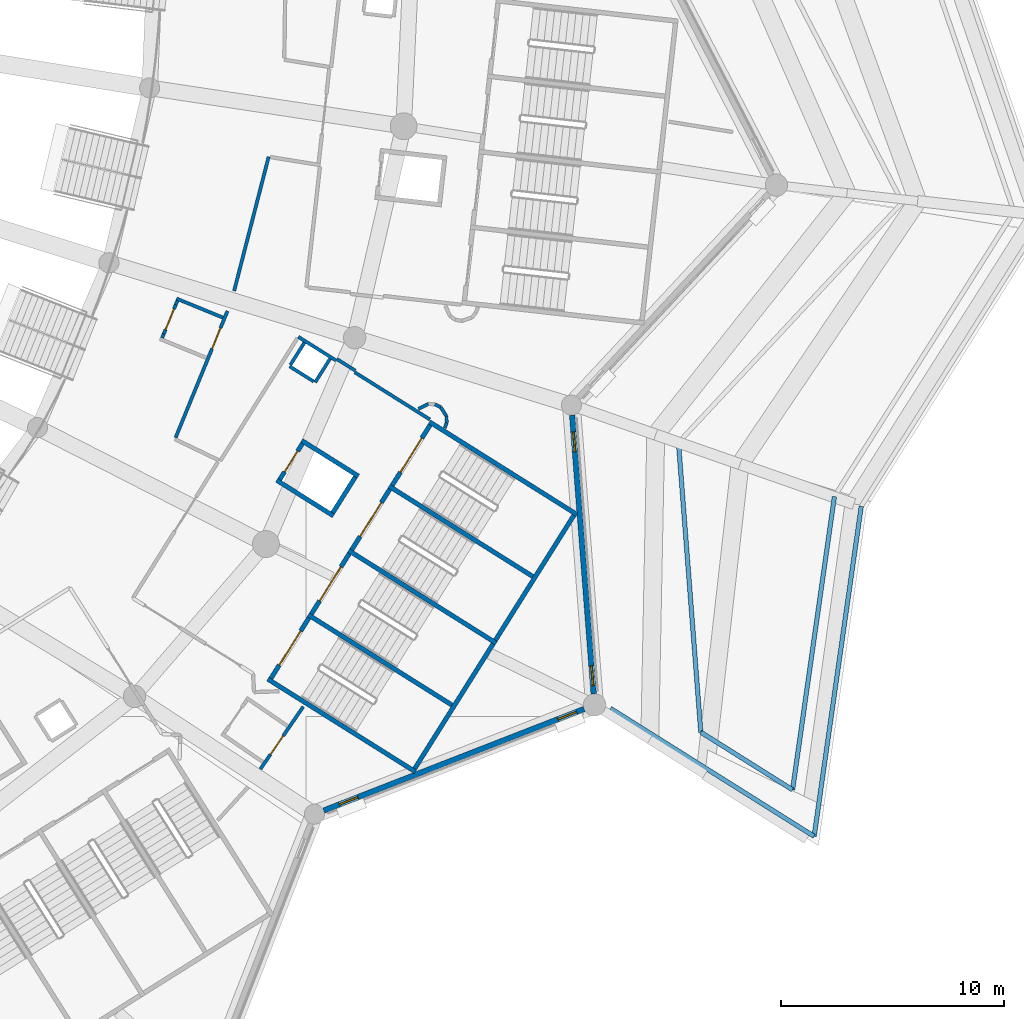
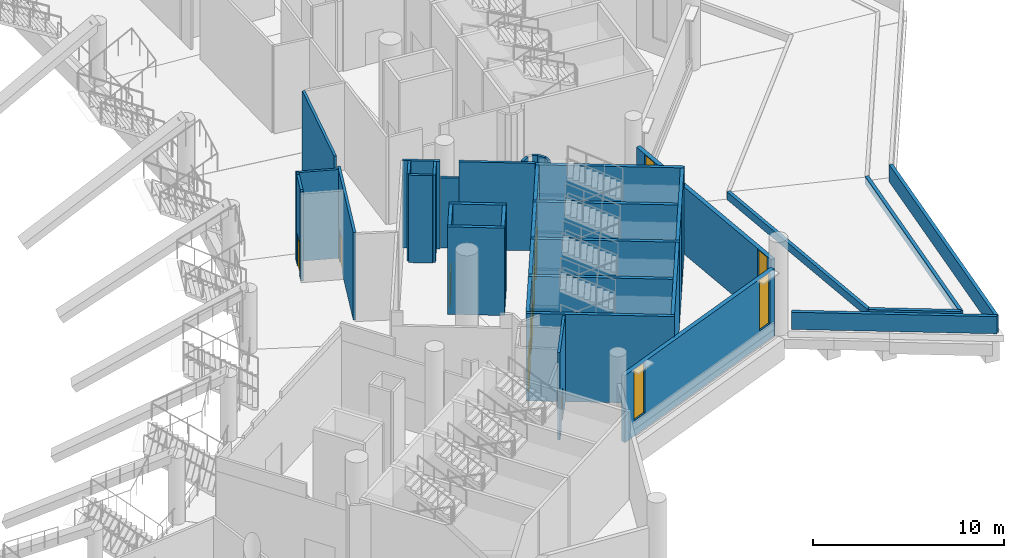
# One storey, part 55 of 173: 40 walls, 8 doors, 4 windows, 12 openings.
"""IFC4 building model written with IfcOpenShell, lengths in metres."""

from ifc_helpers import new_model, si_unit, direction, frame, frame_2d, origin, place, context, subcontext, project, spatial, rectangle, extrude, material, layer, layer_set, type_object, element, fill, save


model = new_model("IFC4")

# Units and contexts
model_context = context("Model", 3, precision=1e-05, world=origin(), true_north=direction((0.0, 1.0)))
body_context = subcontext(model_context, "Body", "Model", "MODEL_VIEW")
ifc_project = project(units=[si_unit("LENGTHUNIT", "METRE"), si_unit("AREAUNIT", "SQUARE_METRE"), si_unit("VOLUMEUNIT", "CUBIC_METRE"), si_unit("PLANEANGLEUNIT", "RADIAN"), si_unit("MASSUNIT", "GRAM", prefix="KILO")], contexts=[model_context])

# Site, building, storey
site_placement = place(None, origin())
site = spatial("IfcSite", under=ifc_project, at=site_placement, CompositionType="ELEMENT")
building_placement = place(site_placement, origin())
building = spatial("IfcBuilding", under=site, at=building_placement, Name="Meseta Stadium", CompositionType="ELEMENT")
storey_placement = place(building_placement, frame((0.0, 0.0, 18.0)))
storey = spatial("IfcBuildingStorey", under=building, at=storey_placement, Name="L03", CompositionType="ELEMENT", Elevation=18.0)

# Walls
ifc_material_1 = material(Name="Concrete C40/50", Category="concrete")
ifc_layer_1 = layer(ifc_material_1, 0.199951171875)
ifc_layer_set_1 = layer_set([ifc_layer_1], Name="Core divider wall 200")
wall_type_1 = type_object("IfcWallType", Name="Core divider wall 200", PredefinedType="SHEAR", material=ifc_layer_set_1)
wall_1_placement = place(storey_placement, frame((86.696533203125, -79.5869140625, 0.0), z_axis=(0.0, 0.0, 1.0), x_axis=(-0.846713903605, 0.532048461553, 0.0)))
element("IfcWall", 1, at=wall_1_placement, inside=storey, type_object=wall_type_1, Name="Core 28 L03 stair A divider wall", PredefinedType="SHEAR", context=body_context, shape_type="SweptSolid", body=[
    extrude(rectangle(XDim=7.7998046875, YDim=0.199951171875, at=frame_2d((3.89990234375, 0.0))), origin(), (0.0, 0.0, 1.0), 5.60009765625),
])
wall_2_placement = place(storey_placement, frame((90.314453125, -73.8291015625, 0.0), z_axis=(0.0, 0.0, 1.0), x_axis=(-0.846722763703, 0.532034361135, 0.0)))
element("IfcWall", 2, at=wall_2_placement, inside=storey, type_object=wall_type_1, Name="Core 28 L03 stair B divider wall", PredefinedType="SHEAR", context=body_context, shape_type="SweptSolid", body=[
    extrude(rectangle(XDim=7.800048828125, YDim=0.199951171875, at=frame_2d((3.89990234375, 0.0))), origin(), (0.0, 0.0, 1.0), 5.60009765625),
])
ifc_material_2 = material(Name="Concrete C40/50", Category="concrete")
ifc_layer_2 = layer(ifc_material_2, 0.199951171875)
ifc_layer_set_2 = layer_set([ifc_layer_2], Name="Core shaft wall 200")
wall_type_2 = type_object("IfcWallType", Name="Core shaft wall 200", PredefinedType="SHEAR", material=ifc_layer_set_2)
for number, where, z_axis, x_axis, name in (
    (3, (84.8876953125, -82.4658203125, 0.0), (0.0, 0.0, 1.0), (-0.846722763703, 0.532034361135, 0.0), "Core 28 L03 stair wall A-side"),
    (4, (88.505615234375, -76.7080078125, 0.0), (0.0, 0.0, 1.0), (-0.846722763703, 0.532034361135, 0.0), "Core 28 L03 stair wall shared"),
    (5, (92.123291015625, -70.9501953125, 0.0), (0.0, 0.0, 1.0), (-0.846722763703, 0.532034361135, 0.0), "Core 28 L03 stair wall B-side"),
):
    element("IfcWall", number, at=place(storey_placement, frame(where, z_axis=z_axis, x_axis=x_axis)), inside=storey, type_object=wall_type_2, Name=name, PredefinedType="SHEAR", context=body_context, shape_type="SweptSolid", body=[
        extrude(rectangle(XDim=7.800048828125, YDim=0.199951171875, at=frame_2d((3.89990234375, 0.0))), origin(), (0.0, 0.0, 1.0), 5.60009765625),
    ])
for number, where, z_axis, x_axis, name in (
    (6, (84.856201171875, -82.327880859375, 0.0), (0.0, 0.0, 1.0), (0.532038964807, 0.846719870989, 0.0), "Core 28 L03 stair A outer end wall"),
    (7, (88.47412109375, -76.570068359375, 0.0), (0.0, 0.0, 1.0), (0.532038964807, 0.846719870989, 0.0), "Core 28 L03 stair B outer end wall"),
):
    element("IfcWall", number, at=place(storey_placement, frame(where, z_axis=z_axis, x_axis=x_axis)), inside=storey, type_object=wall_type_2, Name=name, PredefinedType="SHEAR", context=body_context, shape_type="SweptSolid", body=[
        extrude(rectangle(XDim=6.60009765625, YDim=0.199951171875, at=frame_2d((3.300048828125, 0.0))), origin(), (0.0, 0.0, 1.0), 5.60009765625),
    ])

# Wall, opening, door
wall_3_placement = place(storey_placement, frame((78.421142578125, -78.284423828125, 0.0), z_axis=(0.0, 0.0, 1.0), x_axis=(0.53206841829, 0.84670136309, 0.0)))
wall_3 = element("IfcWall", 8, at=wall_3_placement, inside=storey, type_object=wall_type_2, Name="Core 28 L03 stair A1 inner end wall", PredefinedType="SHEAR", context=body_context, shape_type="SweptSolid", body=[
    extrude(rectangle(XDim=3.199951171875, YDim=0.199951171875, at=frame_2d((1.60009765625, 0.0))), origin(), (0.0, 0.0, 1.0), 5.60009765625),
])
opening_1_placement = place(wall_3_placement, frame((0.699951171875, 0.0, 0.0)))
opening_1 = element("IfcOpeningElement", 9, at=opening_1_placement, cuts=wall_3, Name="Opening D1454", PredefinedType="OPENING", context=body_context, shape_type="SweptSolid", body=[
    extrude(rectangle(XDim=1.800048828125, YDim=2.10009765625, at=frame_2d((0.89990234375, 1.050048828125))), frame((0.0, 0.10986328125, 0.0), z_axis=(0.0, -1.0, 0.0), x_axis=(1.0, 0.0, 0.0)), (0.0, 0.0, 1.0), 0.219970703125),
])
ifc_material_3 = material(Name="Steel", Category="steel")
door_type_1 = type_object("IfcDoorType", Name="Stair door 1800x2100", OperationType="DOUBLE_DOOR_SINGLE_SWING", PredefinedType="DOOR", material=ifc_material_3)
door_1_placement = place(opening_1_placement, origin())
door_1 = element("IfcDoor", 10, at=door_1_placement, inside=storey, type_object=door_type_1, Name="Stair A1 door 28 L03", OperationType="DOUBLE_DOOR_SINGLE_SWING", OverallHeight=2.10009765625, OverallWidth=1.800048828125, PredefinedType="DOOR", context=body_context, shape_type="SweptSolid", body=[
    extrude(rectangle(XDim=1.800048828125, YDim=2.10009765625, at=frame_2d((0.89990234375, 1.050048828125))), frame((0.0, 0.02490234375, 0.0), z_axis=(0.0, -1.0, 0.0), x_axis=(1.0, 0.0, 0.0)), (0.0, 0.0, 1.0), 0.050048828125),
])
fill(opening_1, door_1)

wall_4_placement = place(storey_placement, frame((80.22998046875, -75.405517578125, 0.0), z_axis=(0.0, 0.0, 1.0), x_axis=(0.53206841829, 0.84670136309, 0.0)))
wall_4 = element("IfcWall", 11, at=wall_4_placement, inside=storey, type_object=wall_type_2, Name="Core 28 L03 stair A2 inner end wall", PredefinedType="SHEAR", context=body_context, shape_type="SweptSolid", body=[
    extrude(rectangle(XDim=3.199951171875, YDim=0.199951171875, at=frame_2d((1.60009765625, 0.0))), origin(), (0.0, 0.0, 1.0), 5.60009765625),
])
opening_2_placement = place(wall_4_placement, frame((0.699951171875, 0.0, 0.0)))
opening_2 = element("IfcOpeningElement", 12, at=opening_2_placement, cuts=wall_4, Name="Opening D1457", PredefinedType="OPENING", context=body_context, shape_type="SweptSolid", body=[
    extrude(rectangle(XDim=1.800048828125, YDim=2.10009765625, at=frame_2d((0.89990234375, 1.050048828125))), frame((0.0, 0.10986328125, 0.0), z_axis=(0.0, -1.0, 0.0), x_axis=(1.0, 0.0, 0.0)), (0.0, 0.0, 1.0), 0.219970703125),
])
door_2_placement = place(opening_2_placement, origin())
door_2 = element("IfcDoor", 13, at=door_2_placement, inside=storey, type_object=door_type_1, Name="Stair A2 door 28 L03", OperationType="DOUBLE_DOOR_SINGLE_SWING", OverallHeight=2.10009765625, OverallWidth=1.800048828125, PredefinedType="DOOR", context=body_context, shape_type="SweptSolid", body=[
    extrude(rectangle(XDim=1.800048828125, YDim=2.10009765625, at=frame_2d((0.89990234375, 1.050048828125))), frame((0.0, 0.02490234375, 0.0), z_axis=(0.0, -1.0, 0.0), x_axis=(1.0, 0.0, 0.0)), (0.0, 0.0, 1.0), 0.050048828125),
])
fill(opening_2, door_2)

wall_5_placement = place(storey_placement, frame((82.0390625, -72.526611328125, 0.0), z_axis=(0.0, 0.0, 1.0), x_axis=(0.532013720158, 0.846735733015, 0.0)))
wall_5 = element("IfcWall", 14, at=wall_5_placement, inside=storey, type_object=wall_type_2, Name="Core 28 L03 stair B1 inner end wall", PredefinedType="SHEAR", context=body_context, shape_type="SweptSolid", body=[
    extrude(rectangle(XDim=3.199951171875, YDim=0.199951171875, at=frame_2d((1.60009765625, 0.0))), origin(), (0.0, 0.0, 1.0), 5.60009765625),
])
opening_3_placement = place(wall_5_placement, frame((0.699951171875, 0.0, 0.0)))
opening_3 = element("IfcOpeningElement", 15, at=opening_3_placement, cuts=wall_5, Name="Opening D1463", PredefinedType="OPENING", context=body_context, shape_type="SweptSolid", body=[
    extrude(rectangle(XDim=1.800048828125, YDim=2.10009765625, at=frame_2d((0.89990234375, 1.050048828125))), frame((0.0, 0.10986328125, 0.0), z_axis=(0.0, -1.0, 0.0), x_axis=(1.0, 0.0, 0.0)), (0.0, 0.0, 1.0), 0.219970703125),
])
door_3_placement = place(opening_3_placement, origin())
door_3 = element("IfcDoor", 16, at=door_3_placement, inside=storey, type_object=door_type_1, Name="Stair B1 door 28 L03", OperationType="DOUBLE_DOOR_SINGLE_SWING", OverallHeight=2.10009765625, OverallWidth=1.800048828125, PredefinedType="DOOR", context=body_context, shape_type="SweptSolid", body=[
    extrude(rectangle(XDim=1.800048828125, YDim=2.10009765625, at=frame_2d((0.89990234375, 1.050048828125))), frame((0.0, 0.02490234375, 0.0), z_axis=(0.0, -1.0, 0.0), x_axis=(1.0, 0.0, 0.0)), (0.0, 0.0, 1.0), 0.050048828125),
])
fill(opening_3, door_3)

wall_6_placement = place(storey_placement, frame((83.847900390625, -69.647705078125, 0.0), z_axis=(0.0, 0.0, 1.0), x_axis=(0.532013720158, 0.846735733015, 0.0)))
wall_6 = element("IfcWall", 17, at=wall_6_placement, inside=storey, type_object=wall_type_2, Name="Core 28 L03 stair B2 inner end wall", PredefinedType="SHEAR", context=body_context, shape_type="SweptSolid", body=[
    extrude(rectangle(XDim=3.199951171875, YDim=0.199951171875, at=frame_2d((1.60009765625, 0.0))), origin(), (0.0, 0.0, 1.0), 5.60009765625),
])
opening_4_placement = place(wall_6_placement, frame((0.699951171875, 0.0, 0.0)))
opening_4 = element("IfcOpeningElement", 18, at=opening_4_placement, cuts=wall_6, Name="Opening D1465", PredefinedType="OPENING", context=body_context, shape_type="SweptSolid", body=[
    extrude(rectangle(XDim=1.800048828125, YDim=2.10009765625, at=frame_2d((0.89990234375, 1.050048828125))), frame((0.0, 0.10986328125, 0.0), z_axis=(0.0, -1.0, 0.0), x_axis=(1.0, 0.0, 0.0)), (0.0, 0.0, 1.0), 0.219970703125),
])
door_4_placement = place(opening_4_placement, origin())
door_4 = element("IfcDoor", 19, at=door_4_placement, inside=storey, type_object=door_type_1, Name="Stair B2 door 28 L03", OperationType="DOUBLE_DOOR_SINGLE_SWING", OverallHeight=2.10009765625, OverallWidth=1.800048828125, PredefinedType="DOOR", context=body_context, shape_type="SweptSolid", body=[
    extrude(rectangle(XDim=1.800048828125, YDim=2.10009765625, at=frame_2d((0.89990234375, 1.050048828125))), frame((0.0, 0.02490234375, 0.0), z_axis=(0.0, -1.0, 0.0), x_axis=(1.0, 0.0, 0.0)), (0.0, 0.0, 1.0), 0.050048828125),
])
fill(opening_4, door_4)

# Walls
for number, where, z_axis, x_axis, name in (
    (20, (81.22119140625, -71.0087890625, 0.0), (0.0, 0.0, 1.0), (-0.846757002027, 0.531979867588, 0.0), "Core 28 L03 lift shaft wall left"),
    (21, (82.33837890625, -69.230712890625, 0.0), (0.0, 0.0, 1.0), (-0.846757002027, 0.531979867588, 0.0), "Core 28 L03 lift shaft wall right"),
):
    element("IfcWall", number, at=place(storey_placement, frame(where, z_axis=z_axis, x_axis=x_axis)), inside=storey, type_object=wall_type_2, Name=name, PredefinedType="SHEAR", context=body_context, shape_type="SweptSolid", body=[
        extrude(rectangle(XDim=3.0, YDim=0.199951171875, at=frame_2d((1.5, 0.0))), origin(), (0.0, 0.0, 1.0), 5.60009765625),
    ])
wall_7_placement = place(storey_placement, frame((81.189697265625, -70.87109375, 0.0), z_axis=(0.0, 0.0, 1.0), x_axis=(0.531961007765, 0.846768850524, 0.0)))
element("IfcWall", 22, at=wall_7_placement, inside=storey, type_object=wall_type_2, Name="Core 28 L03 lift shaft back wall", PredefinedType="SHEAR", context=body_context, shape_type="SweptSolid", body=[
    extrude(rectangle(XDim=1.900146484375, YDim=0.199951171875, at=frame_2d((0.9501953125, 0.0))), origin(), (0.0, 0.0, 1.0), 5.60009765625),
])

# Wall, opening, door
wall_8_placement = place(storey_placement, frame((78.81884765625, -69.38134765625, 0.0), z_axis=(0.0, 0.0, 1.0), x_axis=(0.532018892235, 0.846732483318, 0.0)))
wall_8 = element("IfcWall", 23, at=wall_8_placement, inside=storey, type_object=wall_type_2, Name="Core 28 L03 lift shaft front wall", PredefinedType="SHEAR", context=body_context, shape_type="SweptSolid", body=[
    extrude(rectangle(XDim=1.89990234375, YDim=0.199951171875, at=frame_2d((0.949951171875, 0.0))), origin(), (0.0, 0.0, 1.0), 5.60009765625),
])
opening_5_placement = place(wall_8_placement, frame((0.39990234375, 0.0, 0.0)))
opening_5 = element("IfcOpeningElement", 24, at=opening_5_placement, cuts=wall_8, Name="Opening LD155", PredefinedType="OPENING", context=body_context, shape_type="SweptSolid", body=[
    extrude(rectangle(XDim=1.10009765625, YDim=2.10009765625, at=frame_2d((0.550048828125, 1.050048828125))), frame((0.0, 0.10986328125, 0.0), z_axis=(0.0, -1.0, 0.0), x_axis=(1.0, 0.0, 0.0)), (0.0, 0.0, 1.0), 0.219970703125),
])
ifc_material_4 = material(Name="Steel", Category="steel")
door_type_2 = type_object("IfcDoorType", Name="Lift landing door 1100x2100", OperationType="SLIDING_TO_LEFT", PredefinedType="DOOR", material=ifc_material_4)
door_5_placement = place(opening_5_placement, origin())
door_5 = element("IfcDoor", 25, at=door_5_placement, inside=storey, type_object=door_type_2, Name="Lift landing door LD155", OperationType="SLIDING_TO_LEFT", OverallHeight=2.10009765625, OverallWidth=1.10009765625, PredefinedType="DOOR", context=body_context, shape_type="SweptSolid", body=[
    extrude(rectangle(XDim=1.10009765625, YDim=2.10009765625, at=frame_2d((0.550048828125, 1.050048828125))), frame((0.0, 0.02490234375, 0.0), z_axis=(0.0, -1.0, 0.0), x_axis=(1.0, 0.0, 0.0)), (0.0, 0.0, 1.0), 0.050048828125),
])
fill(opening_5, door_5)

ifc_material_5 = material(Name="Masonry blockwork", Category="masonry")
ifc_layer_3 = layer(ifc_material_5, 0.14990234375)
ifc_layer_set_3 = layer_set([ifc_layer_3], Name="Partition 150")
wall_type_3 = type_object("IfcWallType", Name="Partition 150", PredefinedType="PARTITIONING", material=ifc_layer_set_3)
wall_9_placement = place(storey_placement, frame((77.948974609375, -82.345703125, 0.0), z_axis=(0.0, 0.0, 1.0), x_axis=(0.565957595718, 0.824434351449, 0.0)))
wall_9 = element("IfcWall", 26, at=wall_9_placement, inside=storey, type_object=wall_type_3, Name="Partition L03 L03-cell26-1-0", PredefinedType="PARTITIONING", context=body_context, shape_type="SweptSolid", body=[
    extrude(rectangle(XDim=3.392822265625, YDim=0.14990234375, at=frame_2d((1.6962890625, 0.0))), origin(), (0.0, 0.0, 1.0), 5.60009765625),
])
opening_6_placement = place(wall_9_placement, frame((0.800048828125, 0.0, 0.0)))
opening_6 = element("IfcOpeningElement", 27, at=opening_6_placement, cuts=wall_9, Name="Opening D1450", PredefinedType="OPENING", context=body_context, shape_type="SweptSolid", body=[
    extrude(rectangle(XDim=1.0, YDim=2.10009765625, at=frame_2d((0.5, 1.050048828125))), frame((0.0, 0.0849609375, 0.0), z_axis=(0.0, -1.0, 0.0), x_axis=(1.0, 0.0, 0.0)), (0.0, 0.0, 1.0), 0.169921875),
])
ifc_material_6 = material(Name="Steel", Category="steel")
door_type_3 = type_object("IfcDoorType", Name="Fire door 1000x2100 EI2 60", OperationType="NOTDEFINED", PredefinedType="DOOR", material=ifc_material_6)
door_6_placement = place(opening_6_placement, origin())
door_6 = element("IfcDoor", 28, at=door_6_placement, inside=storey, type_object=door_type_3, Name="Room door L03 L03-cell26-1-0", OperationType="SINGLE_SWING_LEFT", OverallHeight=2.10009765625, OverallWidth=1.0, PredefinedType="DOOR", context=body_context, shape_type="SweptSolid", body=[
    extrude(rectangle(XDim=1.0, YDim=2.10009765625, at=frame_2d((0.5, 1.050048828125))), frame((0.0, 0.02490234375, 0.0), z_axis=(0.0, -1.0, 0.0), x_axis=(1.0, 0.0, 0.0)), (0.0, 0.0, 1.0), 0.050048828125),
])
fill(opening_6, door_6)

# Walls
wall_10_placement = place(storey_placement, frame((85.5380859375, -66.694580078125, 0.0), z_axis=(0.0, 0.0, 1.0), x_axis=(-0.84671635408, 0.532044561793, 0.0)))
element("IfcWall", 29, at=wall_10_placement, inside=storey, type_object=wall_type_3, Name="Partition L03 L03-cell27-1-0", PredefinedType="PARTITIONING", context=body_context, shape_type="SweptSolid", body=[
    extrude(rectangle(XDim=3.97705078125, YDim=0.14990234375, at=frame_2d((1.988525390625, 0.0))), origin(), (0.0, 0.0, 1.0), 5.60009765625),
])
wall_11_placement = place(storey_placement, frame((81.328857421875, -64.049560546875, 0.0), z_axis=(0.0, 0.0, 1.0), x_axis=(-0.84670607735, 0.532060916229, 0.0)))
element("IfcWall", 30, at=wall_11_placement, inside=storey, type_object=wall_type_3, Name="Partition L03 L03-cell27-1-0", PredefinedType="PARTITIONING", context=body_context, shape_type="SweptSolid", body=[
    extrude(rectangle(XDim=1.98876953125, YDim=0.14990234375, at=frame_2d((0.994384765625, 0.0))), origin(), (0.0, 0.0, 1.0), 5.60009765625),
])

# Wall, opening, door
wall_12_placement = place(storey_placement, frame((74.15380859375, -67.506103515625, 0.0), z_axis=(0.0, 0.0, 1.0), x_axis=(0.379103117109, 0.92535443296, 0.0)))
wall_12 = element("IfcWall", 31, at=wall_12_placement, inside=storey, type_object=wall_type_3, Name="Partition L03 L03-cell27-1-0", PredefinedType="PARTITIONING", context=body_context, shape_type="SweptSolid", body=[
    extrude(rectangle(XDim=6.12451171875, YDim=0.14990234375, at=frame_2d((3.062255859375, 0.0))), origin(), (0.0, 0.0, 1.0), 5.60009765625),
])
opening_7_placement = place(wall_12_placement, frame((4.300048828125, 0.0, 0.0)))
opening_7 = element("IfcOpeningElement", 32, at=opening_7_placement, cuts=wall_12, Name="Opening D1442", PredefinedType="OPENING", context=body_context, shape_type="SweptSolid", body=[
    extrude(rectangle(XDim=1.0, YDim=2.10009765625, at=frame_2d((0.5, 1.050048828125))), frame((0.0, 0.0849609375, 0.0), z_axis=(0.0, -1.0, 0.0), x_axis=(1.0, 0.0, 0.0)), (0.0, 0.0, 1.0), 0.169921875),
])
door_7_placement = place(opening_7_placement, origin())
door_7 = element("IfcDoor", 33, at=door_7_placement, inside=storey, type_object=door_type_3, Name="Room door L03 L03-cell27-1-0", OperationType="SINGLE_SWING_RIGHT", OverallHeight=2.10009765625, OverallWidth=1.0, PredefinedType="DOOR", context=body_context, shape_type="SweptSolid", body=[
    extrude(rectangle(XDim=1.0, YDim=2.10009765625, at=frame_2d((0.5, 1.050048828125))), frame((0.0, 0.02490234375, 0.0), z_axis=(0.0, -1.0, 0.0), x_axis=(1.0, 0.0, 0.0)), (0.0, 0.0, 1.0), 0.050048828125),
])
fill(opening_7, door_7)

# Walls
wall_13_placement = place(storey_placement, frame((76.775146484375, -60.935791015625, 0.0), z_axis=(0.0, 0.0, 1.0), x_axis=(0.249120216744, 0.968472569363, 0.0)))
element("IfcWall", 34, at=wall_13_placement, inside=storey, type_object=wall_type_3, Name="Partition L03 L03-cell27-1-0", PredefinedType="PARTITIONING", context=body_context, shape_type="SweptSolid", body=[
    extrude(rectangle(XDim=6.197509765625, YDim=0.14990234375, at=frame_2d((3.0986328125, 0.0))), origin(), (0.0, 0.0, 1.0), 5.60009765625),
])
wall_14_placement = place(storey_placement, frame((80.400634765625, -65.03125, 0.0), z_axis=(0.0, 0.0, 1.0), x_axis=(0.532035438589, 0.846722086688, 0.0)))
element("IfcWall", 35, at=wall_14_placement, inside=storey, type_object=wall_type_3, Name="Pressurisation shaft wall L03 core 28", PredefinedType="PARTITIONING", context=body_context, shape_type="SweptSolid", body=[
    extrude(rectangle(XDim=1.2490234375, YDim=0.14990234375, at=frame_2d((0.62451171875, 0.0))), origin(), (0.0, 0.0, 1.0), 5.60009765625),
])
wall_15_placement = place(storey_placement, frame((79.922119140625, -63.25537109375, 0.0), z_axis=(0.0, 0.0, 1.0), x_axis=(-0.531941549268, -0.846781074518, 0.0)))
element("IfcWall", 36, at=wall_15_placement, inside=storey, type_object=wall_type_3, Name="Pressurisation shaft wall L03 core 28", PredefinedType="PARTITIONING", context=body_context, shape_type="SweptSolid", body=[
    extrude(rectangle(XDim=1.174072265625, YDim=0.14990234375, at=frame_2d((0.5869140625, 0.0))), origin(), (0.0, 0.0, 1.0), 5.60009765625),
])
wall_16_placement = place(storey_placement, frame((79.257568359375, -64.31298828125, 0.0), z_axis=(0.0, 0.0, 1.0), x_axis=(0.846769635862, -0.531959757672, 0.0)))
element("IfcWall", 37, at=wall_16_placement, inside=storey, type_object=wall_type_3, Name="Pressurisation shaft wall L03 core 28", PredefinedType="PARTITIONING", context=body_context, shape_type="SweptSolid", body=[
    extrude(rectangle(XDim=1.27490234375, YDim=0.14990234375, at=frame_2d((0.637451171875, 0.0))), origin(), (0.0, 0.0, 1.0), 5.60009765625),
])
wall_17_placement = place(storey_placement, frame((86.205078125, -67.080078125, 0.0), z_axis=(0.0, 0.0, 1.0), x_axis=(0.322191523859, 0.946674506868, 0.0)))
element("IfcWall", 38, at=wall_17_placement, inside=storey, type_object=wall_type_3, Name="Stair vestibule wall L03 core 28", PredefinedType="PARTITIONING", context=body_context, shape_type="SweptSolid", body=[
    extrude(rectangle(XDim=0.257568359375, YDim=0.14990234375, at=frame_2d((0.12890625, 0.0))), origin(), (0.0, 0.0, 1.0), 5.60009765625),
])
wall_18_placement = place(storey_placement, frame((86.2880859375, -66.836181640625, 0.0), z_axis=(0.0, 0.0, 1.0), x_axis=(-0.027108677756, 0.999632492264, 0.0)))
element("IfcWall", 39, at=wall_18_placement, inside=storey, type_object=wall_type_3, Name="Stair vestibule wall L03 core 28", PredefinedType="PARTITIONING", context=body_context, shape_type="SweptSolid", body=[
    extrude(rectangle(XDim=0.2880859375, YDim=0.14990234375, at=frame_2d((0.14404296875, 0.0))), origin(), (0.0, 0.0, 1.0), 5.60009765625),
])
wall_19_placement = place(storey_placement, frame((86.2802734375, -66.548095703125, 0.0), z_axis=(0.0, 0.0, 1.0), x_axis=(-0.538489767729, 0.842632049029, 0.0)))
element("IfcWall", 40, at=wall_19_placement, inside=storey, type_object=wall_type_3, Name="Stair vestibule wall L03 core 28", PredefinedType="PARTITIONING", context=body_context, shape_type="SweptSolid", body=[
    extrude(rectangle(XDim=0.479248046875, YDim=0.14990234375, at=frame_2d((0.23974609375, 0.0))), origin(), (0.0, 0.0, 1.0), 5.60009765625),
])
wall_20_placement = place(storey_placement, frame((86.022216796875, -66.144287109375, 0.0), z_axis=(0.0, 0.0, 1.0), x_axis=(-0.894427191, 0.4472135955, 0.0)))
element("IfcWall", 41, at=wall_20_placement, inside=storey, type_object=wall_type_3, Name="Stair vestibule wall L03 core 28", PredefinedType="PARTITIONING", context=body_context, shape_type="SweptSolid", body=[
    extrude(rectangle(XDim=0.289306640625, YDim=0.14990234375, at=frame_2d((0.14453125, 0.0))), origin(), (0.0, 0.0, 1.0), 5.60009765625),
])
wall_21_placement = place(storey_placement, frame((85.474609375, -65.99462890625, 0.0), z_axis=(0.0, 0.0, 1.0), x_axis=(-0.890886791294, -0.45422541221, 0.0)))
element("IfcWall", 42, at=wall_21_placement, inside=storey, type_object=wall_type_3, Name="Stair vestibule wall L03 core 28", PredefinedType="PARTITIONING", context=body_context, shape_type="SweptSolid", body=[
    extrude(rectangle(XDim=0.50048828125, YDim=0.14990234375, at=frame_2d((0.250244140625, 0.0))), origin(), (0.0, 0.0, 1.0), 5.60009765625),
])
wall_22_placement = place(storey_placement, frame((82.2021484375, -64.509765625, 0.0), z_axis=(0.0, 0.0, 1.0), x_axis=(-0.846630098311, 0.532181807876, 0.0)))
element("IfcWall", 43, at=wall_22_placement, inside=storey, type_object=wall_type_3, Name="Stair vestibule wall L03 core 28", PredefinedType="PARTITIONING", context=body_context, shape_type="SweptSolid", body=[
    extrude(rectangle(XDim=0.974365234375, YDim=0.14990234375, at=frame_2d((0.4873046875, 0.0))), origin(), (0.0, 0.0, 1.0), 4.5),
])
wall_23_placement = place(storey_placement, frame((76.273681640625, -62.1337890625, 0.0), z_axis=(0.0, 0.0, 1.0), x_axis=(-0.925346328849, 0.379122897866, 0.0)))
element("IfcWall", 44, at=wall_23_placement, inside=storey, type_object=wall_type_3, Name="Partition L03 L03-cell27-1-0 vestibule", PredefinedType="PARTITIONING", context=body_context, shape_type="SweptSolid", body=[
    extrude(rectangle(XDim=2.25, YDim=0.14990234375, at=frame_2d((1.125, 0.0))), origin(), (0.0, 0.0, 1.0), 5.68505859375),
])
wall_24_placement = place(storey_placement, frame((73.55029296875, -63.044189453125, 0.0), z_axis=(0.0, 0.0, 1.0), x_axis=(0.378537750025, 0.925585853287, 0.0)))
element("IfcWall", 45, at=wall_24_placement, inside=storey, type_object=wall_type_3, Name="Partition L03 L03-cell27-1-0 vestibule", PredefinedType="PARTITIONING", context=body_context, shape_type="SweptSolid", body=[
    extrude(rectangle(XDim=0.199951171875, YDim=0.14990234375, at=frame_2d((0.10009765625, 0.0))), origin(), (0.0, 0.0, 1.0), 5.71630859375),
])

# Wall, opening, door
wall_25_placement = place(storey_placement, frame((73.6259765625, -62.859130859375, 0.0), z_axis=(0.0, 0.0, 1.0), x_axis=(0.379135295196, 0.925341249452, 0.0)))
wall_25 = element("IfcWall", 46, at=wall_25_placement, inside=storey, type_object=wall_type_3, Name="Partition L03 L03-cell27-1-0 vestibule", PredefinedType="PARTITIONING", context=body_context, shape_type="SweptSolid", body=[
    extrude(rectangle(XDim=1.39990234375, YDim=0.14990234375, at=frame_2d((0.699951171875, 0.0))), origin(), (0.0, 0.0, 1.0), 5.718017578125),
])
opening_8_placement = place(wall_25_placement, frame((0.199951171875, 0.0, 0.0)))
opening_8 = element("IfcOpeningElement", 47, at=opening_8_placement, cuts=wall_25, Name="Opening D1438", PredefinedType="OPENING", context=body_context, shape_type="SweptSolid", body=[
    extrude(rectangle(XDim=1.0, YDim=2.10009765625, at=frame_2d((0.5, 1.050048828125))), frame((0.0, 0.0849609375, 0.0), z_axis=(0.0, -1.0, 0.0), x_axis=(1.0, 0.0, 0.0)), (0.0, 0.0, 1.0), 0.169921875),
])
door_8_placement = place(opening_8_placement, origin())
door_8 = element("IfcDoor", 48, at=door_8_placement, inside=storey, type_object=door_type_3, Name="Vestibule door L03 L03-cell27-1-0", OperationType="SINGLE_SWING_RIGHT", OverallHeight=2.10009765625, OverallWidth=1.0, PredefinedType="DOOR", context=body_context, shape_type="SweptSolid", body=[
    extrude(rectangle(XDim=1.0, YDim=2.10009765625, at=frame_2d((0.5, 1.050048828125))), frame((0.0, 0.02490234375, 0.0), z_axis=(0.0, -1.0, 0.0), x_axis=(1.0, 0.0, 0.0)), (0.0, 0.0, 1.0), 0.050048828125),
])
fill(opening_8, door_8)

# Walls
wall_26_placement = place(storey_placement, frame((74.15673828125, -61.563720703125, 0.0), z_axis=(0.0, 0.0, 1.0), x_axis=(0.379583143074, 0.925157628458, 0.0)))
element("IfcWall", 49, at=wall_26_placement, inside=storey, type_object=wall_type_3, Name="Partition L03 L03-cell27-1-0 vestibule", PredefinedType="PARTITIONING", context=body_context, shape_type="SweptSolid", body=[
    extrude(rectangle(XDim=0.199951171875, YDim=0.14990234375, at=frame_2d((0.10009765625, 0.0))), origin(), (0.0, 0.0, 1.0), 5.7294921875),
])
ifc_material_7 = material(Name="Precast concrete C40/50", Category="concrete")
ifc_layer_4 = layer(ifc_material_7, 0.199951171875)
ifc_layer_set_4 = layer_set([ifc_layer_4], Name="Planter kerb 200")
wall_type_4 = type_object("IfcWallType", Name="Planter kerb 200", PredefinedType="USERDEFINED", material=ifc_layer_set_4)
wall_27_placement = place(storey_placement, frame((103.6474609375, -70.146484375, 0.0), z_axis=(0.0, 0.0, 1.0), x_axis=(-0.141310516353, -0.989965321599, 0.0)))
element("IfcWall", 50, at=wall_27_placement, inside=storey, type_object=wall_type_4, Name="Planter kerb 8.1.6", ObjectType="PLANTER", PredefinedType="USERDEFINED", context=body_context, shape_type="SweptSolid", body=[
    extrude(rectangle(XDim=13.260009765625, YDim=0.199951171875, at=frame_2d((6.6298828125, 0.0))), origin(), (0.0, 0.0, 1.0), 0.5),
])
wall_28_placement = place(storey_placement, frame((101.773681640625, -83.2734375, 0.0), z_axis=(0.0, 0.0, 1.0), x_axis=(-0.846729183501, 0.532024144008, 0.0)))
element("IfcWall", 51, at=wall_28_placement, inside=storey, type_object=wall_type_4, Name="Planter kerb 8.1.7", ObjectType="PLANTER", PredefinedType="USERDEFINED", context=body_context, shape_type="SweptSolid", body=[
    extrude(rectangle(XDim=4.850830078125, YDim=0.199951171875, at=frame_2d((2.42529296875, 0.0))), origin(), (0.0, 0.0, 1.0), 0.5),
])
wall_29_placement = place(storey_placement, frame((97.666259765625, -80.692626953125, 0.0), z_axis=(0.0, 0.0, 1.0), x_axis=(-0.076927669723, 0.997036676171, 0.0)))
element("IfcWall", 52, at=wall_29_placement, inside=storey, type_object=wall_type_4, Name="Planter kerb 8.1.8", ObjectType="PLANTER", PredefinedType="USERDEFINED", context=body_context, shape_type="SweptSolid", body=[
    extrude(rectangle(XDim=13.00244140625, YDim=0.199951171875, at=frame_2d((6.501220703125, 0.0))), origin(), (0.0, 0.0, 1.0), 0.5),
])

# Wall, openings, windows
ifc_material_8 = material(Name="White precast concrete C40/50", Category="concrete")
ifc_layer_5 = layer(ifc_material_8, 0.25)
ifc_layer_set_5 = layer_set([ifc_layer_5], Name="Pleated panel wall 250")
wall_type_5 = type_object("IfcWallType", Name="Pleated panel wall 250", PredefinedType="SOLIDWALL", material=ifc_layer_set_5)
wall_30_placement = place(storey_placement, frame((92.443115234375, -79.656005859375, 0.0), z_axis=(0.0, 0.0, 1.0), x_axis=(-0.931674762927, -0.363293457312, 0.0)))
wall_30 = element("IfcWall", 53, at=wall_30_placement, inside=storey, type_object=wall_type_5, Name="Pleated facade panel L03 F53", PredefinedType="SOLIDWALL", context=body_context, shape_type="SweptSolid", body=[
    extrude(rectangle(XDim=12.513671875, YDim=0.25, at=frame_2d((6.2568359375, 0.0))), origin(), (0.0, 0.0, 1.0), 4.300048828125),
])
opening_9_placement = place(wall_30_placement, frame((10.86328125, 0.0, 1.0)))
opening_9 = element("IfcOpeningElement", 54, at=opening_9_placement, cuts=wall_30, Name="Opening W143", PredefinedType="OPENING", context=body_context, shape_type="SweptSolid", body=[
    extrude(rectangle(XDim=0.89990234375, YDim=3.25, at=frame_2d((0.449951171875, 1.625))), frame((0.0, 0.135009765625, 0.0), z_axis=(0.0, -1.0, 0.0), x_axis=(1.0, 0.0, 0.0)), (0.0, 0.0, 1.0), 0.27001953125),
])
opening_10_placement = place(wall_30_placement, frame((0.36328125, 0.0, 1.0)))
opening_10 = element("IfcOpeningElement", 55, at=opening_10_placement, cuts=wall_30, Name="Opening W146", PredefinedType="OPENING", context=body_context, shape_type="SweptSolid", body=[
    extrude(rectangle(XDim=0.89990234375, YDim=3.25, at=frame_2d((0.449951171875, 1.625))), frame((0.0, 0.135009765625, 0.0), z_axis=(0.0, -1.0, 0.0), x_axis=(1.0, 0.0, 0.0)), (0.0, 0.0, 1.0), 0.27001953125),
])
ifc_material_9 = material(Name="Aluminium", Category="aluminium")
window_type = type_object("IfcWindowType", Name="Slot window 900x3250", PartitioningType="SINGLE_PANEL", PredefinedType="WINDOW", material=ifc_material_9)
window_1_placement = place(opening_9_placement, origin())
window_1 = element("IfcWindow", 56, at=window_1_placement, inside=storey, type_object=window_type, Name="Slot window L03 F53.1", OverallHeight=3.25, OverallWidth=0.89990234375, PartitioningType="SINGLE_PANEL", PredefinedType="WINDOW", context=body_context, shape_type="SweptSolid", body=[
    extrude(rectangle(XDim=0.89990234375, YDim=3.25, at=frame_2d((0.449951171875, 1.625))), frame((0.0, 0.030029296875, 0.0), z_axis=(0.0, -1.0, 0.0), x_axis=(1.0, 0.0, 0.0)), (0.0, 0.0, 1.0), 0.06005859375),
])
fill(opening_9, window_1)
window_2_placement = place(opening_10_placement, origin())
window_2 = element("IfcWindow", 57, at=window_2_placement, inside=storey, type_object=window_type, Name="Slot window L03 F53.6", OverallHeight=3.25, OverallWidth=0.89990234375, PartitioningType="SINGLE_PANEL", PredefinedType="WINDOW", context=body_context, shape_type="SweptSolid", body=[
    extrude(rectangle(XDim=0.89990234375, YDim=3.25, at=frame_2d((0.449951171875, 1.625))), frame((0.0, 0.030029296875, 0.0), z_axis=(0.0, -1.0, 0.0), x_axis=(1.0, 0.0, 0.0)), (0.0, 0.0, 1.0), 0.06005859375),
])
fill(opening_10, window_2)

wall_31_placement = place(storey_placement, frame((91.9072265625, -66.499755859375, 0.0), z_axis=(0.0, 0.0, 1.0), x_axis=(0.076945644854, -0.997035289114, 0.0)))
wall_31 = element("IfcWall", 58, at=wall_31_placement, inside=storey, type_object=wall_type_5, Name="Pleated facade panel L03 F54", PredefinedType="SOLIDWALL", context=body_context, shape_type="SweptSolid", body=[
    extrude(rectangle(XDim=12.513916015625, YDim=0.25, at=frame_2d((6.2568359375, 0.0))), origin(), (0.0, 0.0, 1.0), 4.300048828125),
])
opening_11_placement = place(wall_31_placement, frame((0.75048828125, 0.0, 1.0)))
opening_11 = element("IfcOpeningElement", 59, at=opening_11_placement, cuts=wall_31, Name="Opening W147", PredefinedType="OPENING", context=body_context, shape_type="SweptSolid", body=[
    extrude(rectangle(XDim=0.89990234375, YDim=3.25, at=frame_2d((0.449951171875, 1.625))), frame((0.0, 0.135009765625, 0.0), z_axis=(0.0, -1.0, 0.0), x_axis=(1.0, 0.0, 0.0)), (0.0, 0.0, 1.0), 0.27001953125),
])
opening_12_placement = place(wall_31_placement, frame((11.25048828125, 0.0, 1.0)))
opening_12 = element("IfcOpeningElement", 60, at=opening_12_placement, cuts=wall_31, Name="Opening W148", PredefinedType="OPENING", context=body_context, shape_type="SweptSolid", body=[
    extrude(rectangle(XDim=0.89990234375, YDim=3.25, at=frame_2d((0.449951171875, 1.625))), frame((0.0, 0.135009765625, 0.0), z_axis=(0.0, -1.0, 0.0), x_axis=(1.0, 0.0, 0.0)), (0.0, 0.0, 1.0), 0.27001953125),
])
window_3_placement = place(opening_11_placement, origin())
window_3 = element("IfcWindow", 61, at=window_3_placement, inside=storey, type_object=window_type, Name="Slot window L03 F54.1", OverallHeight=3.25, OverallWidth=0.89990234375, PartitioningType="SINGLE_PANEL", PredefinedType="WINDOW", context=body_context, shape_type="SweptSolid", body=[
    extrude(rectangle(XDim=0.89990234375, YDim=3.25, at=frame_2d((0.449951171875, 1.625))), frame((0.0, 0.030029296875, 0.0), z_axis=(0.0, -1.0, 0.0), x_axis=(1.0, 0.0, 0.0)), (0.0, 0.0, 1.0), 0.06005859375),
])
fill(opening_11, window_3)
window_4_placement = place(opening_12_placement, origin())
window_4 = element("IfcWindow", 62, at=window_4_placement, inside=storey, type_object=window_type, Name="Slot window L03 F54.6", OverallHeight=3.25, OverallWidth=0.89990234375, PartitioningType="SINGLE_PANEL", PredefinedType="WINDOW", context=body_context, shape_type="SweptSolid", body=[
    extrude(rectangle(XDim=0.89990234375, YDim=3.25, at=frame_2d((0.449951171875, 1.625))), frame((0.0, 0.030029296875, 0.0), z_axis=(0.0, -1.0, 0.0), x_axis=(1.0, 0.0, 0.0)), (0.0, 0.0, 1.0), 0.06005859375),
])
fill(opening_12, window_4)

# Walls
ifc_material_10 = material(Name="Concrete C40/50", Category="concrete")
ifc_layer_6 = layer(ifc_material_10, 0.199951171875)
ifc_layer_set_6 = layer_set([ifc_layer_6], Name="Roof parapet 200")
wall_type_6 = type_object("IfcWallType", Name="Roof parapet 200", PredefinedType="PARAPET", material=ifc_layer_set_6)
wall_32_placement = place(storey_placement, frame((104.84716796875, -70.58740234375, 0.0), z_axis=(0.0, 0.0, 1.0), x_axis=(-0.14131138287, -0.989965197909, 0.0)))
element("IfcWall", 63, at=wall_32_placement, inside=storey, type_object=wall_type_6, Name="Roof parapet 8.54.1", PredefinedType="PARAPET", context=body_context, shape_type="SweptSolid", body=[
    extrude(rectangle(XDim=14.91845703125, YDim=0.199951171875, at=frame_2d((7.459228515625, 0.0))), origin(), (0.0, 0.0, 1.0), 1.10009765625),
])
wall_33_placement = place(storey_placement, frame((102.739013671875, -85.356201171875, 0.0), z_axis=(0.0, 0.0, 1.0), x_axis=(-0.846729651004, 0.532023399965, 0.0)))
element("IfcWall", 64, at=wall_33_placement, inside=storey, type_object=wall_type_6, Name="Roof parapet 8.55.1", PredefinedType="PARAPET", context=body_context, shape_type="SweptSolid", body=[
    extrude(rectangle(XDim=10.766845703125, YDim=0.199951171875, at=frame_2d((5.38330078125, 0.0))), origin(), (0.0, 0.0, 1.0), 1.10009765625),
])

save(model, "model.ifc")
